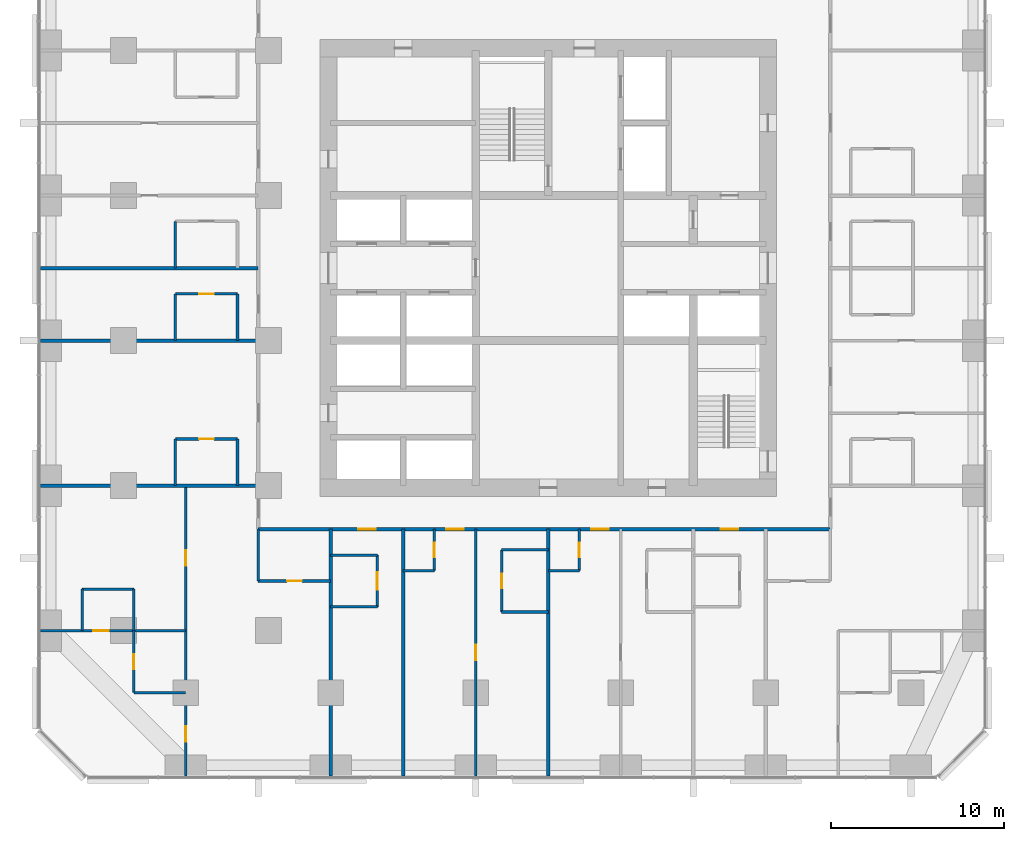
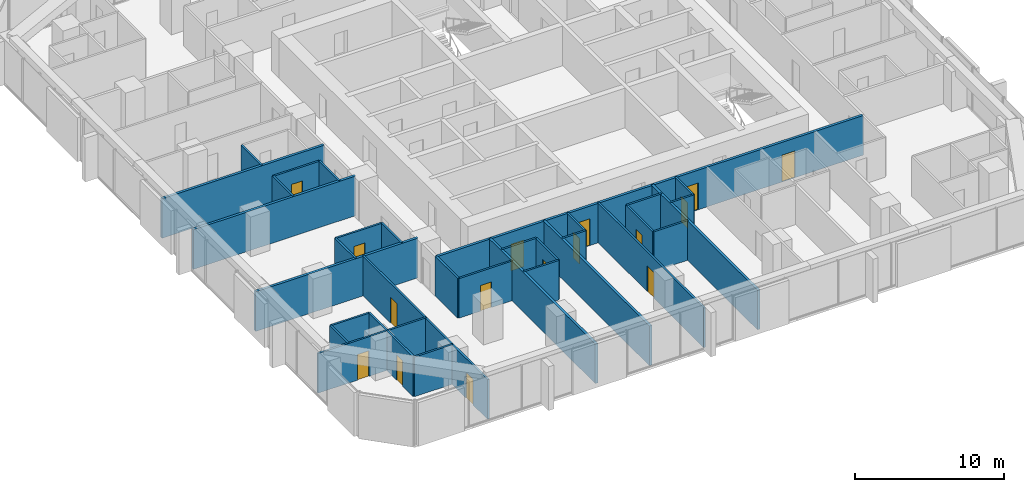
# One storey, part 8 of 14: 34 walls, 16 doors, 16 openings.
"""IFC4 building model written with IfcOpenShell, lengths in metres."""

from ifc_helpers import new_model, si_unit, direction, frame, frame_2d, origin, place, context, subcontext, project, spatial, rectangle, extrude, material, layer, layer_set, type_object, element, fill, save


model = new_model("IFC4")

# Units and contexts
model_context = context("Model", 3, precision=1e-05, world=origin(), true_north=direction((0.0, 1.0)))
body_context = subcontext(model_context, "Body", "Model", "MODEL_VIEW")
ifc_project = project(units=[si_unit("LENGTHUNIT", "METRE"), si_unit("AREAUNIT", "SQUARE_METRE"), si_unit("VOLUMEUNIT", "CUBIC_METRE"), si_unit("PLANEANGLEUNIT", "RADIAN"), si_unit("MASSUNIT", "GRAM", prefix="KILO")], contexts=[model_context])

# Site, building, storey
site_placement = place(None, origin())
site = spatial("IfcSite", under=ifc_project, at=site_placement, CompositionType="ELEMENT")
building_placement = place(site_placement, origin())
building = spatial("IfcBuilding", under=site, at=building_placement, Name="Dunama Terrace Hotel", CompositionType="ELEMENT")
storey_placement = place(building_placement, frame((0.0, 0.0, 140.39990234375)))
storey = spatial("IfcBuildingStorey", under=building, at=storey_placement, Name="L36", CompositionType="ELEMENT", Elevation=140.39990234375)

# Wall, opening, door
ifc_material_1 = material(Name="Gypsum board partition", Category="masonry")
ifc_layer_1 = layer(ifc_material_1, 0.14990234375)
ifc_layer_set_1 = layer_set([ifc_layer_1], Name="Bathroom partition 150")
wall_type_1 = type_object("IfcWallType", Name="Bathroom partition 150", PredefinedType="PARTITIONING", material=ifc_layer_set_1)
wall_1_placement = place(storey_placement, frame((5.39990234375, 4.800048828125, 0.0), z_axis=(0.0, 0.0, 1.0), x_axis=(0.0, 1.0, 0.0)))
wall_1 = element("IfcWall", 1, at=wall_1_placement, inside=storey, type_object=wall_type_1, Name="Bathroom partition 150 L36", PredefinedType="PARTITIONING", context=body_context, shape_type="SweptSolid", body=[
    extrude(rectangle(XDim=3.599853515625, YDim=0.14990234375, at=frame_2d((1.7998046875, 0.0))), origin(), (0.0, 0.0, 1.0), 3.25),
])
opening_1_placement = place(wall_1_placement, frame((1.375, 0.0, 0.0)))
opening_1 = element("IfcOpeningElement", 2, at=opening_1_placement, cuts=wall_1, Name="Opening L34-36-052", PredefinedType="OPENING", context=body_context, shape_type="SweptSolid", body=[
    extrude(rectangle(XDim=0.85009765625, YDim=2.10009765625, at=frame_2d((0.425048828125, 1.050048828125))), frame((0.0, 0.0849609375, 0.0), z_axis=(0.0, -1.0, 0.0), x_axis=(1.0, 0.0, 0.0)), (0.0, 0.0, 1.0), 0.169921875),
])
ifc_material_2 = material(Name="Timber door with steel frame", Category="steel")
door_type_1 = type_object("IfcDoorType", Name="Bathroom door 850", OperationType="SINGLE_SWING_LEFT", PredefinedType="DOOR", material=ifc_material_2)
door_1_placement = place(opening_1_placement, frame((0.85009765625, 0.0, 0.0), z_axis=(0.0, 0.0, 1.0), x_axis=(-1.0, 0.0, 0.0)))
door_1 = element("IfcDoor", 3, at=door_1_placement, inside=storey, type_object=door_type_1, Name="Door to en-suite bathroom L34-36-052, type D2", OperationType="SINGLE_SWING_LEFT", OverallHeight=2.10009765625, OverallWidth=0.85009765625, PredefinedType="DOOR", context=body_context, shape_type="SweptSolid", body=[
    extrude(rectangle(XDim=0.85009765625, YDim=2.10009765625, at=frame_2d((0.425048828125, 1.050048828125))), frame((0.0, 0.025146484375, 0.0), z_axis=(0.0, -1.0, 0.0), x_axis=(1.0, 0.0, 0.0)), (0.0, 0.0, 1.0), 0.050048828125),
])
fill(opening_1, door_1)

# Walls
for number, where, z_axis, x_axis, name in (
    (4, (7.800048828125, 16.800048828125, 0.0), (0.0, 0.0, 1.0), (0.0, 1.0, 0.0), "Bathroom partition 150 L36"),
    (5, (7.800048828125, 25.199951171875, 0.0), (0.0, 0.0, 1.0), (0.0, 1.0, 0.0), "Bathroom partition 150 L36"),
):
    element("IfcWall", number, at=place(storey_placement, frame(where, z_axis=z_axis, x_axis=x_axis)), inside=storey, type_object=wall_type_1, Name=name, PredefinedType="PARTITIONING", context=body_context, shape_type="SweptSolid", body=[
        extrude(rectangle(XDim=2.699951171875, YDim=0.14990234375, at=frame_2d((1.35009765625, 0.0))), origin(), (0.0, 0.0, 1.0), 3.25),
    ])
wall_2_placement = place(storey_placement, frame((7.800048828125, 29.39990234375, 0.0), z_axis=(0.0, 0.0, 1.0), x_axis=(0.0, 1.0, 0.0)))
element("IfcWall", 6, at=wall_2_placement, inside=storey, type_object=wall_type_1, Name="Bathroom partition 150 L36", PredefinedType="PARTITIONING", context=body_context, shape_type="SweptSolid", body=[
    extrude(rectangle(XDim=2.7001953125, YDim=0.14990234375, at=frame_2d((1.35009765625, 0.0))), origin(), (0.0, 0.0, 1.0), 3.25),
])
for number, where, z_axis, x_axis, name in (
    (7, (11.39990234375, 16.800048828125, 0.0), (0.0, 0.0, 1.0), (0.0, 1.0, 0.0), "Bathroom partition 150 L36"),
    (8, (11.39990234375, 25.199951171875, 0.0), (0.0, 0.0, 1.0), (0.0, 1.0, 0.0), "Bathroom partition 150 L36"),
):
    element("IfcWall", number, at=place(storey_placement, frame(where, z_axis=z_axis, x_axis=x_axis)), inside=storey, type_object=wall_type_1, Name=name, PredefinedType="PARTITIONING", context=body_context, shape_type="SweptSolid", body=[
        extrude(rectangle(XDim=2.699951171875, YDim=0.14990234375, at=frame_2d((1.35009765625, 0.0))), origin(), (0.0, 0.0, 1.0), 3.25),
    ])
wall_3_placement = place(storey_placement, frame((12.60009765625, 11.27490234375, 0.0), z_axis=(0.0, 0.0, 1.0), x_axis=(0.0, 1.0, 0.0)))
element("IfcWall", 9, at=wall_3_placement, inside=storey, type_object=wall_type_1, Name="Bathroom partition 150 L36", PredefinedType="PARTITIONING", context=body_context, shape_type="SweptSolid", body=[
    extrude(rectangle(XDim=3.0, YDim=0.14990234375, at=frame_2d((1.5, 0.0))), origin(), (0.0, 0.0, 1.0), 3.25),
])

# Wall, opening, door
wall_4_placement = place(storey_placement, frame((19.5, 9.77490234375, 0.0), z_axis=(0.0, 0.0, 1.0), x_axis=(0.0, 1.0, 0.0)))
wall_4 = element("IfcWall", 10, at=wall_4_placement, inside=storey, type_object=wall_type_1, Name="Bathroom partition 150 L36", PredefinedType="PARTITIONING", context=body_context, shape_type="SweptSolid", body=[
    extrude(rectangle(XDim=3.0, YDim=0.14990234375, at=frame_2d((1.5, 0.0))), origin(), (0.0, 0.0, 1.0), 3.25),
])
opening_2_placement = place(wall_4_placement, frame((1.0, 0.0, 0.0)))
opening_2 = element("IfcOpeningElement", 11, at=opening_2_placement, cuts=wall_4, Name="Opening L34-36-012", PredefinedType="OPENING", context=body_context, shape_type="SweptSolid", body=[
    extrude(rectangle(XDim=1.0, YDim=2.10009765625, at=frame_2d((0.5, 1.050048828125))), frame((0.0, 0.0849609375, 0.0), z_axis=(0.0, -1.0, 0.0), x_axis=(1.0, 0.0, 0.0)), (0.0, 0.0, 1.0), 0.169921875),
])
ifc_material_3 = material(Name="Timber door with steel frame", Category="steel")
door_type_2 = type_object("IfcDoorType", Name="Accessible room door 1000", OperationType="SINGLE_SWING_LEFT", PredefinedType="DOOR", material=ifc_material_3)
door_2_placement = place(opening_2_placement, origin())
door_2 = element("IfcDoor", 12, at=door_2_placement, inside=storey, type_object=door_type_2, Name="Door to accessible en-suite bathroom L34-36-012, type D17", OperationType="SINGLE_SWING_LEFT", OverallHeight=2.10009765625, OverallWidth=1.0, PredefinedType="DOOR", context=body_context, shape_type="SweptSolid", body=[
    extrude(rectangle(XDim=1.0, YDim=2.10009765625, at=frame_2d((0.5, 1.050048828125))), frame((0.0, 0.02490234375, 0.0), z_axis=(0.0, -1.0, 0.0), x_axis=(1.0, 0.0, 0.0)), (0.0, 0.0, 1.0), 0.050048828125),
])
fill(opening_2, door_2)

wall_5_placement = place(storey_placement, frame((22.800048828125, 11.875, 0.0), z_axis=(0.0, 0.0, 1.0), x_axis=(0.0, 1.0, 0.0)))
wall_5 = element("IfcWall", 13, at=wall_5_placement, inside=storey, type_object=wall_type_1, Name="Bathroom partition 150 L36", PredefinedType="PARTITIONING", context=body_context, shape_type="SweptSolid", body=[
    extrude(rectangle(XDim=2.39990234375, YDim=0.14990234375, at=frame_2d((1.199951171875, 0.0))), origin(), (0.0, 0.0, 1.0), 3.25),
])
opening_3_placement = place(wall_5_placement, frame((0.77490234375, 0.0, 0.0)))
opening_3 = element("IfcOpeningElement", 14, at=opening_3_placement, cuts=wall_5, Name="Opening L34-36-014", PredefinedType="OPENING", context=body_context, shape_type="SweptSolid", body=[
    extrude(rectangle(XDim=0.85009765625, YDim=2.10009765625, at=frame_2d((0.425048828125, 1.050048828125))), frame((0.0, 0.0849609375, 0.0), z_axis=(0.0, -1.0, 0.0), x_axis=(1.0, 0.0, 0.0)), (0.0, 0.0, 1.0), 0.169921875),
])
door_3_placement = place(opening_3_placement, origin())
door_3 = element("IfcDoor", 15, at=door_3_placement, inside=storey, type_object=door_type_1, Name="Door to powder room L34-36-014, type D2", OperationType="SINGLE_SWING_RIGHT", OverallHeight=2.10009765625, OverallWidth=0.85009765625, PredefinedType="DOOR", context=body_context, shape_type="SweptSolid", body=[
    extrude(rectangle(XDim=0.85009765625, YDim=2.10009765625, at=frame_2d((0.425048828125, 1.050048828125))), frame((0.0, 0.02490234375, 0.0), z_axis=(0.0, -1.0, 0.0), x_axis=(1.0, 0.0, 0.0)), (0.0, 0.0, 1.0), 0.050048828125),
])
fill(opening_3, door_3)

wall_6_placement = place(storey_placement, frame((26.699951171875, 9.47509765625, 0.0), z_axis=(0.0, 0.0, 1.0), x_axis=(0.0, 1.0, 0.0)))
wall_6 = element("IfcWall", 16, at=wall_6_placement, inside=storey, type_object=wall_type_1, Name="Bathroom partition 150 L36", PredefinedType="PARTITIONING", context=body_context, shape_type="SweptSolid", body=[
    extrude(rectangle(XDim=3.599853515625, YDim=0.14990234375, at=frame_2d((1.7998046875, 0.0))), origin(), (0.0, 0.0, 1.0), 3.25),
])
opening_4_placement = place(wall_6_placement, frame((1.375, 0.0, 0.0)))
opening_4 = element("IfcOpeningElement", 17, at=opening_4_placement, cuts=wall_6, Name="Opening L34-36-016", PredefinedType="OPENING", context=body_context, shape_type="SweptSolid", body=[
    extrude(rectangle(XDim=0.85009765625, YDim=2.10009765625, at=frame_2d((0.425048828125, 1.050048828125))), frame((0.0, 0.0849609375, 0.0), z_axis=(0.0, -1.0, 0.0), x_axis=(1.0, 0.0, 0.0)), (0.0, 0.0, 1.0), 0.169921875),
])
door_4_placement = place(opening_4_placement, frame((0.85009765625, 0.0, 0.0), z_axis=(0.0, 0.0, 1.0), x_axis=(-1.0, 0.0, 0.0)))
door_4 = element("IfcDoor", 18, at=door_4_placement, inside=storey, type_object=door_type_1, Name="Door to en-suite bathroom L34-36-016, type D2", OperationType="SINGLE_SWING_RIGHT", OverallHeight=2.10009765625, OverallWidth=0.85009765625, PredefinedType="DOOR", context=body_context, shape_type="SweptSolid", body=[
    extrude(rectangle(XDim=0.85009765625, YDim=2.10009765625, at=frame_2d((0.425048828125, 1.050048828125))), frame((0.0, 0.025146484375, 0.0), z_axis=(0.0, -1.0, 0.0), x_axis=(1.0, 0.0, 0.0)), (0.0, 0.0, 1.0), 0.050048828125),
])
fill(opening_4, door_4)

wall_7_placement = place(storey_placement, frame((31.199951171875, 11.875, 0.0), z_axis=(0.0, 0.0, 1.0), x_axis=(0.0, 1.0, 0.0)))
wall_7 = element("IfcWall", 19, at=wall_7_placement, inside=storey, type_object=wall_type_1, Name="Bathroom partition 150 L36", PredefinedType="PARTITIONING", context=body_context, shape_type="SweptSolid", body=[
    extrude(rectangle(XDim=2.39990234375, YDim=0.14990234375, at=frame_2d((1.199951171875, 0.0))), origin(), (0.0, 0.0, 1.0), 3.25),
])
opening_5_placement = place(wall_7_placement, frame((0.77490234375, 0.0, 0.0)))
opening_5 = element("IfcOpeningElement", 20, at=opening_5_placement, cuts=wall_7, Name="Opening L34-36-018", PredefinedType="OPENING", context=body_context, shape_type="SweptSolid", body=[
    extrude(rectangle(XDim=0.85009765625, YDim=2.10009765625, at=frame_2d((0.425048828125, 1.050048828125))), frame((0.0, 0.0849609375, 0.0), z_axis=(0.0, -1.0, 0.0), x_axis=(1.0, 0.0, 0.0)), (0.0, 0.0, 1.0), 0.169921875),
])
door_5_placement = place(opening_5_placement, origin())
door_5 = element("IfcDoor", 21, at=door_5_placement, inside=storey, type_object=door_type_1, Name="Door to powder room L34-36-018, type D2", OperationType="SINGLE_SWING_RIGHT", OverallHeight=2.10009765625, OverallWidth=0.85009765625, PredefinedType="DOOR", context=body_context, shape_type="SweptSolid", body=[
    extrude(rectangle(XDim=0.85009765625, YDim=2.10009765625, at=frame_2d((0.425048828125, 1.050048828125))), frame((0.0, 0.02490234375, 0.0), z_axis=(0.0, -1.0, 0.0), x_axis=(1.0, 0.0, 0.0)), (0.0, 0.0, 1.0), 0.050048828125),
])
fill(opening_5, door_5)

# Walls
wall_8_placement = place(storey_placement, frame((5.39990234375, 4.800048828125, 0.0), z_axis=(0.0, 0.0, 1.0), x_axis=(1.0, 0.0, 0.0)))
element("IfcWall", 22, at=wall_8_placement, inside=storey, type_object=wall_type_1, Name="Bathroom partition 150 L36", PredefinedType="PARTITIONING", context=body_context, shape_type="SweptSolid", body=[
    extrude(rectangle(XDim=3.0, YDim=0.14990234375, at=frame_2d((1.5, 0.0))), origin(), (0.0, 0.0, 1.0), 3.25),
])
for number, where, z_axis, x_axis, name in (
    (23, (26.699951171875, 9.47509765625, 0.0), (0.0, 0.0, 1.0), (1.0, 0.0, 0.0), "Bathroom partition 150 L36"),
    (24, (16.800048828125, 9.77490234375, 0.0), (0.0, 0.0, 1.0), (1.0, 0.0, 0.0), "Bathroom partition 150 L36"),
):
    element("IfcWall", number, at=place(storey_placement, frame(where, z_axis=z_axis, x_axis=x_axis)), inside=storey, type_object=wall_type_1, Name=name, PredefinedType="PARTITIONING", context=body_context, shape_type="SweptSolid", body=[
        extrude(rectangle(XDim=2.699951171875, YDim=0.14990234375, at=frame_2d((1.35009765625, 0.0))), origin(), (0.0, 0.0, 1.0), 3.25),
    ])

# Wall, opening, door
wall_9_placement = place(storey_placement, frame((12.60009765625, 11.27490234375, 0.0), z_axis=(0.0, 0.0, 1.0), x_axis=(1.0, 0.0, 0.0)))
wall_9 = element("IfcWall", 25, at=wall_9_placement, inside=storey, type_object=wall_type_1, Name="Bathroom partition 150 L36", PredefinedType="PARTITIONING", context=body_context, shape_type="SweptSolid", body=[
    extrude(rectangle(XDim=4.199951171875, YDim=0.14990234375, at=frame_2d((2.10009765625, 0.0))), origin(), (0.0, 0.0, 1.0), 3.25),
])
opening_6_placement = place(wall_9_placement, frame((1.675048828125, 0.0, 0.0)))
opening_6 = element("IfcOpeningElement", 26, at=opening_6_placement, cuts=wall_9, Name="Opening L34-36-050", PredefinedType="OPENING", context=body_context, shape_type="SweptSolid", body=[
    extrude(rectangle(XDim=0.85009765625, YDim=2.10009765625, at=frame_2d((0.425048828125, 1.050048828125))), frame((0.0, 0.0849609375, 0.0), z_axis=(0.0, -1.0, 0.0), x_axis=(1.0, 0.0, 0.0)), (0.0, 0.0, 1.0), 0.169921875),
])
door_6_placement = place(opening_6_placement, origin())
door_6 = element("IfcDoor", 27, at=door_6_placement, inside=storey, type_object=door_type_1, Name="Door to powder room L34-36-050, type D2", OperationType="SINGLE_SWING_RIGHT", OverallHeight=2.10009765625, OverallWidth=0.85009765625, PredefinedType="DOOR", context=body_context, shape_type="SweptSolid", body=[
    extrude(rectangle(XDim=0.85009765625, YDim=2.10009765625, at=frame_2d((0.425048828125, 1.050048828125))), frame((0.0, 0.02490234375, 0.0), z_axis=(0.0, -1.0, 0.0), x_axis=(1.0, 0.0, 0.0)), (0.0, 0.0, 1.0), 0.050048828125),
])
fill(opening_6, door_6)

# Walls
for number, where, z_axis, x_axis, name in (
    (28, (21.0, 11.875, 0.0), (0.0, 0.0, 1.0), (1.0, 0.0, 0.0), "Bathroom partition 150 L36"),
    (29, (29.39990234375, 11.875, 0.0), (0.0, 0.0, 1.0), (1.0, 0.0, 0.0), "Bathroom partition 150 L36"),
):
    element("IfcWall", number, at=place(storey_placement, frame(where, z_axis=z_axis, x_axis=x_axis)), inside=storey, type_object=wall_type_1, Name=name, PredefinedType="PARTITIONING", context=body_context, shape_type="SweptSolid", body=[
        extrude(rectangle(XDim=1.800048828125, YDim=0.14990234375, at=frame_2d((0.89990234375, 0.0))), origin(), (0.0, 0.0, 1.0), 3.25),
    ])
for number, where, z_axis, x_axis, name in (
    (30, (16.800048828125, 12.77490234375, 0.0), (0.0, 0.0, 1.0), (1.0, 0.0, 0.0), "Bathroom partition 150 L36"),
    (31, (26.699951171875, 13.074951171875, 0.0), (0.0, 0.0, 1.0), (1.0, 0.0, 0.0), "Bathroom partition 150 L36"),
):
    element("IfcWall", number, at=place(storey_placement, frame(where, z_axis=z_axis, x_axis=x_axis)), inside=storey, type_object=wall_type_1, Name=name, PredefinedType="PARTITIONING", context=body_context, shape_type="SweptSolid", body=[
        extrude(rectangle(XDim=2.699951171875, YDim=0.14990234375, at=frame_2d((1.35009765625, 0.0))), origin(), (0.0, 0.0, 1.0), 3.25),
    ])

# Wall, opening, door
wall_10_placement = place(storey_placement, frame((7.800048828125, 19.5, 0.0), z_axis=(0.0, 0.0, 1.0), x_axis=(1.0, 0.0, 0.0)))
wall_10 = element("IfcWall", 32, at=wall_10_placement, inside=storey, type_object=wall_type_1, Name="Bathroom partition 150 L36", PredefinedType="PARTITIONING", context=body_context, shape_type="SweptSolid", body=[
    extrude(rectangle(XDim=3.599853515625, YDim=0.14990234375, at=frame_2d((1.7998046875, 0.0))), origin(), (0.0, 0.0, 1.0), 3.25),
])
opening_7_placement = place(wall_10_placement, frame((1.375, 0.0, 0.0)))
opening_7 = element("IfcOpeningElement", 33, at=opening_7_placement, cuts=wall_10, Name="Opening L34-36-041", PredefinedType="OPENING", context=body_context, shape_type="SweptSolid", body=[
    extrude(rectangle(XDim=0.85009765625, YDim=2.10009765625, at=frame_2d((0.425048828125, 1.050048828125))), frame((0.0, 0.0849609375, 0.0), z_axis=(0.0, -1.0, 0.0), x_axis=(1.0, 0.0, 0.0)), (0.0, 0.0, 1.0), 0.169921875),
])
door_7_placement = place(opening_7_placement, frame((0.85009765625, 0.0, 0.0), z_axis=(0.0, 0.0, 1.0), x_axis=(-1.0, 0.0, 0.0)))
door_7 = element("IfcDoor", 34, at=door_7_placement, inside=storey, type_object=door_type_1, Name="Door to en-suite bathroom L34-36-041, type D2", OperationType="SINGLE_SWING_RIGHT", OverallHeight=2.10009765625, OverallWidth=0.85009765625, PredefinedType="DOOR", context=body_context, shape_type="SweptSolid", body=[
    extrude(rectangle(XDim=0.85009765625, YDim=2.10009765625, at=frame_2d((0.425048828125, 1.050048828125))), frame((0.0, 0.025146484375, 0.0), z_axis=(0.0, -1.0, 0.0), x_axis=(1.0, 0.0, 0.0)), (0.0, 0.0, 1.0), 0.050048828125),
])
fill(opening_7, door_7)

wall_11_placement = place(storey_placement, frame((7.800048828125, 27.89990234375, 0.0), z_axis=(0.0, 0.0, 1.0), x_axis=(1.0, 0.0, 0.0)))
wall_11 = element("IfcWall", 35, at=wall_11_placement, inside=storey, type_object=wall_type_1, Name="Bathroom partition 150 L36", PredefinedType="PARTITIONING", context=body_context, shape_type="SweptSolid", body=[
    extrude(rectangle(XDim=3.599853515625, YDim=0.14990234375, at=frame_2d((1.7998046875, 0.0))), origin(), (0.0, 0.0, 1.0), 3.25),
])
opening_8_placement = place(wall_11_placement, frame((1.375, 0.0, 0.0)))
opening_8 = element("IfcOpeningElement", 36, at=opening_8_placement, cuts=wall_11, Name="Opening L34-36-043", PredefinedType="OPENING", context=body_context, shape_type="SweptSolid", body=[
    extrude(rectangle(XDim=0.85009765625, YDim=2.10009765625, at=frame_2d((0.425048828125, 1.050048828125))), frame((0.0, 0.0849609375, 0.0), z_axis=(0.0, -1.0, 0.0), x_axis=(1.0, 0.0, 0.0)), (0.0, 0.0, 1.0), 0.169921875),
])
door_8_placement = place(opening_8_placement, frame((0.85009765625, 0.0, 0.0), z_axis=(0.0, 0.0, 1.0), x_axis=(-1.0, 0.0, 0.0)))
door_8 = element("IfcDoor", 37, at=door_8_placement, inside=storey, type_object=door_type_1, Name="Door to en-suite bathroom L34-36-043, type D2", OperationType="SINGLE_SWING_RIGHT", OverallHeight=2.10009765625, OverallWidth=0.85009765625, PredefinedType="DOOR", context=body_context, shape_type="SweptSolid", body=[
    extrude(rectangle(XDim=0.85009765625, YDim=2.10009765625, at=frame_2d((0.425048828125, 1.050048828125))), frame((0.0, 0.025146484375, 0.0), z_axis=(0.0, -1.0, 0.0), x_axis=(1.0, 0.0, 0.0)), (0.0, 0.0, 1.0), 0.050048828125),
])
fill(opening_8, door_8)

# Wall, openings, doors
ifc_material_4 = material(Name="Concrete blockwork", Category="masonry")
ifc_layer_2 = layer(ifc_material_4, 0.199951171875)
ifc_layer_set_2 = layer_set([ifc_layer_2], Name="Corridor partition 200")
wall_type_2 = type_object("IfcWallType", Name="Corridor partition 200", PredefinedType="PARTITIONING", material=ifc_layer_set_2)
wall_12_placement = place(storey_placement, frame((45.72509765625, 14.27490234375, 0.0), z_axis=(0.0, 0.0, 1.0), x_axis=(-1.0, 0.0, 0.0)))
wall_12 = element("IfcWall", 38, at=wall_12_placement, inside=storey, type_object=wall_type_2, Name="Corridor partition 200 L36", PredefinedType="PARTITIONING", context=body_context, shape_type="SweptSolid", body=[
    extrude(rectangle(XDim=33.125, YDim=0.199951171875, at=frame_2d((16.5625, 0.0))), origin(), (0.0, 0.0, 1.0), 3.25),
])
opening_9_placement = place(wall_12_placement, frame((26.324951171875, 0.0, 0.0)))
opening_9 = element("IfcOpeningElement", 39, at=opening_9_placement, cuts=wall_12, Name="Opening L34-36-011", PredefinedType="OPENING", context=body_context, shape_type="SweptSolid", body=[
    extrude(rectangle(XDim=1.0, YDim=2.199951171875, at=frame_2d((0.5, 1.10009765625))), frame((0.0, 0.10986328125, 0.0), z_axis=(0.0, -1.0, 0.0), x_axis=(1.0, 0.0, 0.0)), (0.0, 0.0, 1.0), 0.219970703125),
])
opening_10_placement = place(wall_12_placement, frame((21.22509765625, 0.0, 0.0)))
opening_10 = element("IfcOpeningElement", 40, at=opening_10_placement, cuts=wall_12, Name="Opening L34-36-013", PredefinedType="OPENING", context=body_context, shape_type="SweptSolid", body=[
    extrude(rectangle(XDim=1.0, YDim=2.199951171875, at=frame_2d((0.5, 1.10009765625))), frame((0.0, 0.10986328125, 0.0), z_axis=(0.0, -1.0, 0.0), x_axis=(1.0, 0.0, 0.0)), (0.0, 0.0, 1.0), 0.219970703125),
])
opening_11_placement = place(wall_12_placement, frame((12.824951171875, 0.0, 0.0)))
opening_11 = element("IfcOpeningElement", 41, at=opening_11_placement, cuts=wall_12, Name="Opening L34-36-017", PredefinedType="OPENING", context=body_context, shape_type="SweptSolid", body=[
    extrude(rectangle(XDim=1.0, YDim=2.199951171875, at=frame_2d((0.5, 1.10009765625))), frame((0.0, 0.10986328125, 0.0), z_axis=(0.0, -1.0, 0.0), x_axis=(1.0, 0.0, 0.0)), (0.0, 0.0, 1.0), 0.219970703125),
])
opening_12_placement = place(wall_12_placement, frame((5.324951171875, 0.0, 0.0)))
opening_12 = element("IfcOpeningElement", 42, at=opening_12_placement, cuts=wall_12, Name="Opening L34-36-021", PredefinedType="OPENING", context=body_context, shape_type="SweptSolid", body=[
    extrude(rectangle(XDim=1.0, YDim=2.199951171875, at=frame_2d((0.5, 1.10009765625))), frame((0.0, 0.10986328125, 0.0), z_axis=(0.0, -1.0, 0.0), x_axis=(1.0, 0.0, 0.0)), (0.0, 0.0, 1.0), 0.219970703125),
])
ifc_material_5 = material(Name="Timber door with steel frame", Category="steel")
door_type_3 = type_object("IfcDoorType", Name="Guest room door 1000", OperationType="SINGLE_SWING_LEFT", PredefinedType="DOOR", material=ifc_material_5)
door_9_placement = place(opening_9_placement, origin())
door_9 = element("IfcDoor", 43, at=door_9_placement, inside=storey, type_object=door_type_3, Name="Door to accessible premier room L34-36-011, type D1", OperationType="SINGLE_SWING_LEFT", OverallHeight=2.199951171875, OverallWidth=1.0, PredefinedType="DOOR", context=body_context, shape_type="SweptSolid", body=[
    extrude(rectangle(XDim=1.0, YDim=2.199951171875, at=frame_2d((0.5, 1.10009765625))), frame((0.0, 0.02490234375, 0.0), z_axis=(0.0, -1.0, 0.0), x_axis=(1.0, 0.0, 0.0)), (0.0, 0.0, 1.0), 0.050048828125),
])
fill(opening_9, door_9)
door_10_placement = place(opening_10_placement, origin())
door_10 = element("IfcDoor", 44, at=door_10_placement, inside=storey, type_object=door_type_3, Name="Door to premier suite living room L34-36-013, type D1", OperationType="SINGLE_SWING_LEFT", OverallHeight=2.199951171875, OverallWidth=1.0, PredefinedType="DOOR", context=body_context, shape_type="SweptSolid", body=[
    extrude(rectangle(XDim=1.0, YDim=2.199951171875, at=frame_2d((0.5, 1.10009765625))), frame((0.0, 0.02490234375, 0.0), z_axis=(0.0, -1.0, 0.0), x_axis=(1.0, 0.0, 0.0)), (0.0, 0.0, 1.0), 0.050048828125),
])
fill(opening_10, door_10)
door_11_placement = place(opening_11_placement, origin())
door_11 = element("IfcDoor", 45, at=door_11_placement, inside=storey, type_object=door_type_3, Name="Door to premier suite living room L34-36-017, type D1", OperationType="SINGLE_SWING_LEFT", OverallHeight=2.199951171875, OverallWidth=1.0, PredefinedType="DOOR", context=body_context, shape_type="SweptSolid", body=[
    extrude(rectangle(XDim=1.0, YDim=2.199951171875, at=frame_2d((0.5, 1.10009765625))), frame((0.0, 0.02490234375, 0.0), z_axis=(0.0, -1.0, 0.0), x_axis=(1.0, 0.0, 0.0)), (0.0, 0.0, 1.0), 0.050048828125),
])
fill(opening_11, door_11)
door_12_placement = place(opening_12_placement, origin())
door_12 = element("IfcDoor", 46, at=door_12_placement, inside=storey, type_object=door_type_3, Name="Door to accessible premier room L34-36-021, type D1", OperationType="SINGLE_SWING_LEFT", OverallHeight=2.199951171875, OverallWidth=1.0, PredefinedType="DOOR", context=body_context, shape_type="SweptSolid", body=[
    extrude(rectangle(XDim=1.0, YDim=2.199951171875, at=frame_2d((0.5, 1.10009765625))), frame((0.0, 0.02490234375, 0.0), z_axis=(0.0, -1.0, 0.0), x_axis=(1.0, 0.0, 0.0)), (0.0, 0.0, 1.0), 0.050048828125),
])
fill(opening_12, door_12)

# Walls
ifc_material_6 = material(Name="Concrete blockwork", Category="masonry")
ifc_layer_3 = layer(ifc_material_6, 0.199951171875)
ifc_layer_set_3 = layer_set([ifc_layer_3], Name="Party wall 200")
wall_type_3 = type_object("IfcWallType", Name="Party wall 200", PredefinedType="PARTITIONING", material=ifc_layer_set_3)
for number, where, z_axis, x_axis, name in (
    (47, (16.800048828125, -0.01806640625, 0.0), (0.0, 0.0, 1.0), (0.0, 1.0, 0.0), "Party wall 200 L36"),
    (48, (21.0, -0.01806640625, 0.0), (0.0, 0.0, 1.0), (0.0, 1.0, 0.0), "Party wall 200 L36"),
    (49, (29.39990234375, -0.01806640625, 0.0), (0.0, 0.0, 1.0), (0.0, 1.0, 0.0), "Party wall 200 L36"),
):
    element("IfcWall", number, at=place(storey_placement, frame(where, z_axis=z_axis, x_axis=x_axis)), inside=storey, type_object=wall_type_3, Name=name, PredefinedType="PARTITIONING", context=body_context, shape_type="SweptSolid", body=[
        extrude(rectangle(XDim=14.29296875, YDim=0.199951171875, at=frame_2d((7.146484375, 0.0))), origin(), (0.0, 0.0, 1.0), 3.25),
    ])
for number, where, z_axis, x_axis, name in (
    (50, (-0.01806640625, 16.800048828125, 0.0), (0.0, 0.0, 1.0), (1.0, 0.0, 0.0), "Party wall 200 L36"),
    (51, (-0.01806640625, 25.199951171875, 0.0), (0.0, 0.0, 1.0), (1.0, 0.0, 0.0), "Party wall 200 L36"),
    (52, (-0.01806640625, 29.39990234375, 0.0), (0.0, 0.0, 1.0), (1.0, 0.0, 0.0), "Party wall 200 L36"),
):
    element("IfcWall", number, at=place(storey_placement, frame(where, z_axis=z_axis, x_axis=x_axis)), inside=storey, type_object=wall_type_3, Name=name, PredefinedType="PARTITIONING", context=body_context, shape_type="SweptSolid", body=[
        extrude(rectangle(XDim=12.6181640625, YDim=0.199951171875, at=frame_2d((6.30908203125, 0.0))), origin(), (0.0, 0.0, 1.0), 3.25),
    ])
ifc_material_7 = material(Name="Gypsum board partition", Category="masonry")
ifc_layer_4 = layer(ifc_material_7, 0.14990234375)
ifc_layer_set_4 = layer_set([ifc_layer_4], Name="Room partition 150")
wall_type_4 = type_object("IfcWallType", Name="Room partition 150", PredefinedType="PARTITIONING", material=ifc_layer_set_4)
for number, where, z_axis, x_axis, name in (
    (53, (2.39990234375, 8.39990234375, 0.0), (0.0, 0.0, 1.0), (0.0, 1.0, 0.0), "Room partition 150 L36"),
    (54, (5.39990234375, 8.39990234375, 0.0), (0.0, 0.0, 1.0), (0.0, 1.0, 0.0), "Room partition 150 L36"),
):
    element("IfcWall", number, at=place(storey_placement, frame(where, z_axis=z_axis, x_axis=x_axis)), inside=storey, type_object=wall_type_4, Name=name, PredefinedType="PARTITIONING", context=body_context, shape_type="SweptSolid", body=[
        extrude(rectangle(XDim=2.400146484375, YDim=0.14990234375, at=frame_2d((1.2001953125, 0.0))), origin(), (0.0, 0.0, 1.0), 3.25),
    ])

# Wall, openings, doors
wall_13_placement = place(storey_placement, frame((8.39990234375, -0.01806640625, 0.0), z_axis=(0.0, 0.0, 1.0), x_axis=(0.0, 1.0, 0.0)))
wall_13 = element("IfcWall", 55, at=wall_13_placement, inside=storey, type_object=wall_type_4, Name="Room partition 150 L36", PredefinedType="PARTITIONING", context=body_context, shape_type="SweptSolid", body=[
    extrude(rectangle(XDim=16.818115234375, YDim=0.14990234375, at=frame_2d((8.4091796875, 0.0))), origin(), (0.0, 0.0, 1.0), 3.25),
])
opening_13_placement = place(wall_13_placement, frame((1.968017578125, 0.0, 0.0)))
opening_13 = element("IfcOpeningElement", 56, at=opening_13_placement, cuts=wall_13, Name="Opening L34-36-051", PredefinedType="OPENING", context=body_context, shape_type="SweptSolid", body=[
    extrude(rectangle(XDim=0.89990234375, YDim=2.10009765625, at=frame_2d((0.449951171875, 1.050048828125))), frame((0.0, 0.0849609375, 0.0), z_axis=(0.0, -1.0, 0.0), x_axis=(1.0, 0.0, 0.0)), (0.0, 0.0, 1.0), 0.169921875),
])
opening_14_placement = place(wall_13_placement, frame((12.16796875, 0.0, 0.0)))
opening_14 = element("IfcOpeningElement", 57, at=opening_14_placement, cuts=wall_13, Name="Opening L34-36-054", PredefinedType="OPENING", context=body_context, shape_type="SweptSolid", body=[
    extrude(rectangle(XDim=0.89990234375, YDim=2.10009765625, at=frame_2d((0.449951171875, 1.050048828125))), frame((0.0, 0.0849609375, 0.0), z_axis=(0.0, -1.0, 0.0), x_axis=(1.0, 0.0, 0.0)), (0.0, 0.0, 1.0), 0.169921875),
])
ifc_material_8 = material(Name="Timber door with steel frame", Category="steel")
door_type_4 = type_object("IfcDoorType", Name="Suite internal door 900", OperationType="SINGLE_SWING_LEFT", PredefinedType="DOOR", material=ifc_material_8)
door_13_placement = place(opening_13_placement, origin())
door_13 = element("IfcDoor", 58, at=door_13_placement, inside=storey, type_object=door_type_4, Name="Door to corner suite bedroom L34-36-051, type D16", OperationType="SINGLE_SWING_LEFT", OverallHeight=2.10009765625, OverallWidth=0.89990234375, PredefinedType="DOOR", context=body_context, shape_type="SweptSolid", body=[
    extrude(rectangle(XDim=0.89990234375, YDim=2.10009765625, at=frame_2d((0.449951171875, 1.050048828125))), frame((0.0, 0.02490234375, 0.0), z_axis=(0.0, -1.0, 0.0), x_axis=(1.0, 0.0, 0.0)), (0.0, 0.0, 1.0), 0.050048828125),
])
fill(opening_13, door_13)
door_14_placement = place(opening_14_placement, origin())
door_14 = element("IfcDoor", 59, at=door_14_placement, inside=storey, type_object=door_type_4, Name="Door to corner suite study L34-36-054, type D16", OperationType="SINGLE_SWING_LEFT", OverallHeight=2.10009765625, OverallWidth=0.89990234375, PredefinedType="DOOR", context=body_context, shape_type="SweptSolid", body=[
    extrude(rectangle(XDim=0.89990234375, YDim=2.10009765625, at=frame_2d((0.449951171875, 1.050048828125))), frame((0.0, 0.02490234375, 0.0), z_axis=(0.0, -1.0, 0.0), x_axis=(1.0, 0.0, 0.0)), (0.0, 0.0, 1.0), 0.050048828125),
])
fill(opening_14, door_14)

# Wall, opening, door
wall_14_placement = place(storey_placement, frame((25.199951171875, -0.01806640625, 0.0), z_axis=(0.0, 0.0, 1.0), x_axis=(0.0, 1.0, 0.0)))
wall_14 = element("IfcWall", 60, at=wall_14_placement, inside=storey, type_object=wall_type_4, Name="Room partition 150 L36", PredefinedType="PARTITIONING", context=body_context, shape_type="SweptSolid", body=[
    extrude(rectangle(XDim=14.29296875, YDim=0.14990234375, at=frame_2d((7.146484375, 0.0))), origin(), (0.0, 0.0, 1.0), 3.25),
])
opening_15_placement = place(wall_14_placement, frame((6.7060546875, 0.0, 0.0)))
opening_15 = element("IfcOpeningElement", 61, at=opening_15_placement, cuts=wall_14, Name="Opening L34-36-015", PredefinedType="OPENING", context=body_context, shape_type="SweptSolid", body=[
    extrude(rectangle(XDim=0.89990234375, YDim=2.10009765625, at=frame_2d((0.449951171875, 1.050048828125))), frame((0.0, 0.0849609375, 0.0), z_axis=(0.0, -1.0, 0.0), x_axis=(1.0, 0.0, 0.0)), (0.0, 0.0, 1.0), 0.169921875),
])
door_15_placement = place(opening_15_placement, frame((0.89990234375, 0.0, 0.0), z_axis=(0.0, 0.0, 1.0), x_axis=(-1.0, 0.0, 0.0)))
door_15 = element("IfcDoor", 62, at=door_15_placement, inside=storey, type_object=door_type_4, Name="Door to premier suite bedroom L34-36-015, type D16", OperationType="SINGLE_SWING_RIGHT", OverallHeight=2.10009765625, OverallWidth=0.89990234375, PredefinedType="DOOR", context=body_context, shape_type="SweptSolid", body=[
    extrude(rectangle(XDim=0.89990234375, YDim=2.10009765625, at=frame_2d((0.449951171875, 1.050048828125))), frame((0.0, 0.025146484375, 0.0), z_axis=(0.0, -1.0, 0.0), x_axis=(1.0, 0.0, 0.0)), (0.0, 0.0, 1.0), 0.050048828125),
])
fill(opening_15, door_15)

wall_15_placement = place(storey_placement, frame((-0.01806640625, 8.39990234375, 0.0), z_axis=(0.0, 0.0, 1.0), x_axis=(1.0, 0.0, 0.0)))
wall_15 = element("IfcWall", 63, at=wall_15_placement, inside=storey, type_object=wall_type_4, Name="Room partition 150 L36", PredefinedType="PARTITIONING", context=body_context, shape_type="SweptSolid", body=[
    extrude(rectangle(XDim=8.41796875, YDim=0.14990234375, at=frame_2d((4.208984375, 0.0))), origin(), (0.0, 0.0, 1.0), 3.25),
])
opening_16_placement = place(wall_15_placement, frame((3.068115234375, 0.0, 0.0)))
opening_16 = element("IfcOpeningElement", 64, at=opening_16_placement, cuts=wall_15, Name="Opening L34-36-053", PredefinedType="OPENING", context=body_context, shape_type="SweptSolid", body=[
    extrude(rectangle(XDim=0.89990234375, YDim=2.10009765625, at=frame_2d((0.449951171875, 1.050048828125))), frame((0.0, 0.0849609375, 0.0), z_axis=(0.0, -1.0, 0.0), x_axis=(1.0, 0.0, 0.0)), (0.0, 0.0, 1.0), 0.169921875),
])
door_16_placement = place(opening_16_placement, origin())
door_16 = element("IfcDoor", 65, at=door_16_placement, inside=storey, type_object=door_type_4, Name="Door to dressing room L34-36-053, type D16", OperationType="SINGLE_SWING_RIGHT", OverallHeight=2.10009765625, OverallWidth=0.89990234375, PredefinedType="DOOR", context=body_context, shape_type="SweptSolid", body=[
    extrude(rectangle(XDim=0.89990234375, YDim=2.10009765625, at=frame_2d((0.449951171875, 1.050048828125))), frame((0.0, 0.02490234375, 0.0), z_axis=(0.0, -1.0, 0.0), x_axis=(1.0, 0.0, 0.0)), (0.0, 0.0, 1.0), 0.050048828125),
])
fill(opening_16, door_16)

# Wall
wall_16_placement = place(storey_placement, frame((2.39990234375, 10.800048828125, 0.0), z_axis=(0.0, 0.0, 1.0), x_axis=(1.0, 0.0, 0.0)))
element("IfcWall", 66, at=wall_16_placement, inside=storey, type_object=wall_type_4, Name="Room partition 150 L36", PredefinedType="PARTITIONING", context=body_context, shape_type="SweptSolid", body=[
    extrude(rectangle(XDim=3.0, YDim=0.14990234375, at=frame_2d((1.5, 0.0))), origin(), (0.0, 0.0, 1.0), 3.25),
])

save(model, "model.ifc")
